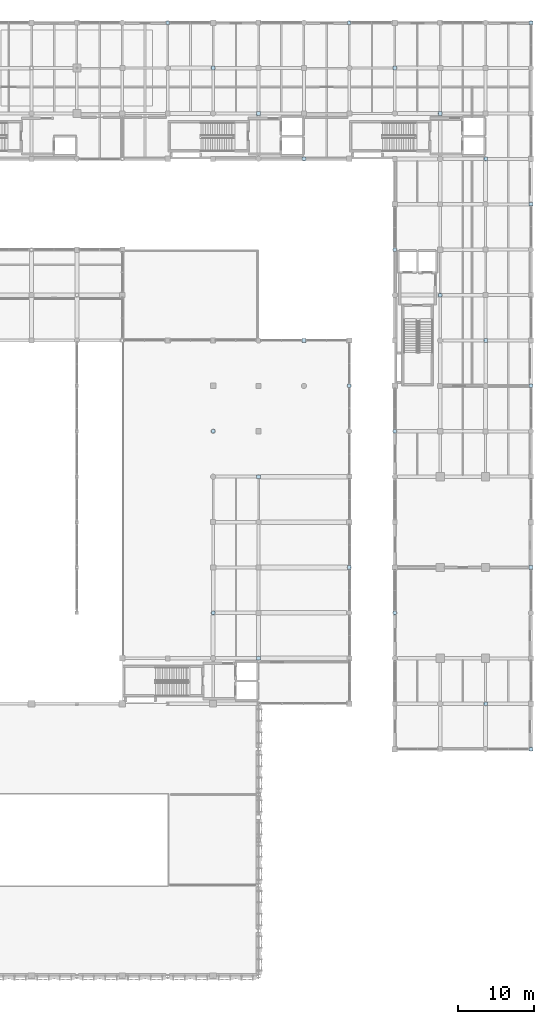
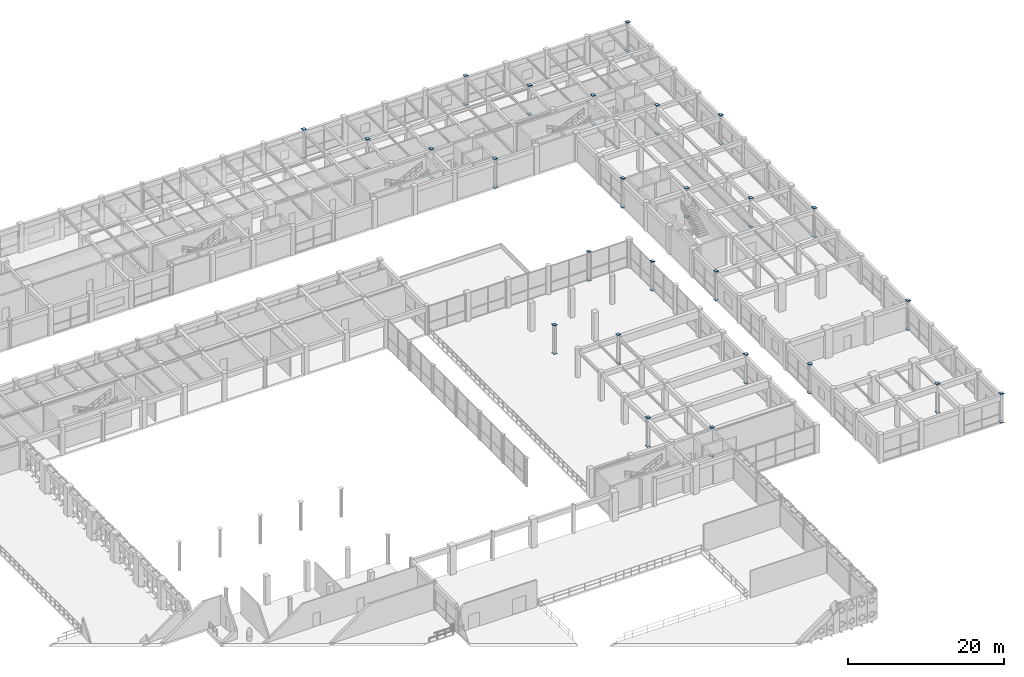
# One storey, part 86 of 116: 52 plates.
"""IFC4 building model written with IfcOpenShell, lengths in metres."""

from ifc_helpers import new_model, si_unit, direction, frame, origin, origin_2d, place, context, subcontext, project, spatial, rectangle, extrude, material, layer, layer_set, type_object, element, save


model = new_model("IFC4")

# Units and contexts
model_context = context("Model", 3, precision=1e-05, world=origin(), true_north=direction((0.0, 1.0)))
body_context = subcontext(model_context, "Body", "Model", "MODEL_VIEW")
ifc_project = project(units=[si_unit("LENGTHUNIT", "METRE"), si_unit("AREAUNIT", "SQUARE_METRE"), si_unit("VOLUMEUNIT", "CUBIC_METRE"), si_unit("PLANEANGLEUNIT", "RADIAN"), si_unit("MASSUNIT", "GRAM", prefix="KILO"), si_unit("THERMODYNAMICTEMPERATUREUNIT", "KELVIN"), si_unit("POWERUNIT", "WATT")], contexts=[model_context])

# Site, building, storey
site_placement = place(None, origin())
site = spatial("IfcSite", under=ifc_project, at=site_placement, CompositionType="ELEMENT")
building_placement = place(site_placement, origin())
building = spatial("IfcBuilding", under=site, at=building_placement, Name="Phaisarnlok Congress Hotel", CompositionType="ELEMENT")
storey_placement = place(building_placement, frame((0.0, 0.0, 10.5)))
storey = spatial("IfcBuildingStorey", under=building, at=storey_placement, Name="L02", CompositionType="ELEMENT", Elevation=10.5)

# Plates
ifc_material = material(Name="Steel S355", Category="steel")
ifc_layer = layer(ifc_material, 0.0400390625, Name="Steel S355")
ifc_layer_set = layer_set([ifc_layer], Name="Steel S355")
plate_type = type_object("IfcPlateType", Name="PLT-CAP-480", PredefinedType="SHEET", material=ifc_layer_set)
for number, where, z_axis, x_axis, name in (
    (1, (132.0, 126.0, -0.02001953125), (0.0, 0.0, 1.0), (1.0, 0.0, 0.0), "Steel column cap/base plate NP-04 at NP-COLB-COL-L02-132-126"),
    (2, (132.0, 126.0, 4.47998046875), (0.0, 0.0, 1.0), (1.0, 0.0, 0.0), "Steel column cap/base plate NP-04 at NP-COLT-COL-L02-132-126"),
    (3, (138.0, 48.0, -0.02001953125), (0.0, 0.0, 1.0), (1.0, 0.0, 0.0), "Steel column cap/base plate NP-04 at NP-COLB-COL-L02-138-048"),
    (4, (138.0, 48.0, 4.47998046875), (0.0, 0.0, 1.0), (1.0, 0.0, 0.0), "Steel column cap/base plate NP-04 at NP-COLT-COL-L02-138-048"),
    (5, (138.0, 72.0, -0.02001953125), (0.0, 0.0, 1.0), (1.0, 0.0, 0.0), "Steel column cap/base plate NP-04 at NP-COLB-COL-L02-138-072"),
    (6, (138.0, 72.0, 4.47998046875), (0.0, 0.0, 1.0), (1.0, 0.0, 0.0), "Steel column cap/base plate NP-04 at NP-COLT-COL-L02-138-072"),
    (7, (138.0, 120.0, -0.02001953125), (0.0, 0.0, 1.0), (1.0, 0.0, 0.0), "Steel column cap/base plate NP-04 at NP-COLB-COL-L02-138-120"),
    (8, (138.0, 120.0, 4.47998046875), (0.0, 0.0, 1.0), (1.0, 0.0, 0.0), "Steel column cap/base plate NP-04 at NP-COLT-COL-L02-138-120"),
    (9, (144.0, 42.0, -0.02001953125), (0.0, 0.0, 1.0), (1.0, 0.0, 0.0), "Steel column cap/base plate NP-04 at NP-COLB-COL-L02-144-042"),
    (10, (144.0, 42.0, 4.47998046875), (0.0, 0.0, 1.0), (1.0, 0.0, 0.0), "Steel column cap/base plate NP-04 at NP-COLT-COL-L02-144-042"),
    (11, (144.0, 66.0, -0.02001953125), (0.0, 0.0, 1.0), (1.0, 0.0, 0.0), "Steel column cap/base plate NP-04 at NP-COLB-COL-L02-144-066"),
    (12, (144.0, 66.0, 4.47998046875), (0.0, 0.0, 1.0), (1.0, 0.0, 0.0), "Steel column cap/base plate NP-04 at NP-COLT-COL-L02-144-066"),
    (13, (144.0, 114.0, -0.02001953125), (0.0, 0.0, 1.0), (1.0, 0.0, 0.0), "Steel column cap/base plate NP-04 at NP-COLB-COL-L02-144-114"),
    (14, (144.0, 114.0, 4.47998046875), (0.0, 0.0, 1.0), (1.0, 0.0, 0.0), "Steel column cap/base plate NP-04 at NP-COLT-COL-L02-144-114"),
    (15, (150.0, 84.0, -0.02001953125), (0.0, 0.0, 1.0), (1.0, 0.0, 0.0), "Steel column cap/base plate NP-04 at NP-COLB-COL-L02-150-084"),
    (16, (150.0, 84.0, 4.47998046875), (0.0, 0.0, 1.0), (1.0, 0.0, 0.0), "Steel column cap/base plate NP-04 at NP-COLT-COL-L02-150-084"),
    (17, (150.0, 108.0, -0.02001953125), (0.0, 0.0, 1.0), (1.0, 0.0, 0.0), "Steel column cap/base plate NP-04 at NP-COLB-COL-L02-150-108"),
    (18, (150.0, 108.0, 4.47998046875), (0.0, 0.0, 1.0), (1.0, 0.0, 0.0), "Steel column cap/base plate NP-04 at NP-COLT-COL-L02-150-108"),
    (19, (156.0, 54.0, -0.02001953125), (0.0, 0.0, 1.0), (1.0, 0.0, 0.0), "Steel column cap/base plate NP-04 at NP-COLB-COL-L02-156-054"),
    (20, (156.0, 54.0, 4.47998046875), (0.0, 0.0, 1.0), (1.0, 0.0, 0.0), "Steel column cap/base plate NP-04 at NP-COLT-COL-L02-156-054"),
    (21, (156.0, 78.0, -0.02001953125), (0.0, 0.0, 1.0), (1.0, 0.0, 0.0), "Steel column cap/base plate NP-04 at NP-COLB-COL-L02-156-078"),
    (22, (156.0, 78.0, 4.47998046875), (0.0, 0.0, 1.0), (1.0, 0.0, 0.0), "Steel column cap/base plate NP-04 at NP-COLT-COL-L02-156-078"),
    (23, (156.0, 126.0, -0.02001953125), (0.0, 0.0, 1.0), (1.0, 0.0, 0.0), "Steel column cap/base plate NP-04 at NP-COLB-COL-L02-156-126"),
    (24, (156.0, 126.0, 4.47998046875), (0.0, 0.0, 1.0), (1.0, 0.0, 0.0), "Steel column cap/base plate NP-04 at NP-COLT-COL-L02-156-126"),
    (25, (162.0, 48.0, -0.02001953125), (0.0, 0.0, 1.0), (1.0, 0.0, 0.0), "Steel column cap/base plate NP-04 at NP-COLB-COL-L02-162-048"),
    (26, (162.0, 48.0, 4.47998046875), (0.0, 0.0, 1.0), (1.0, 0.0, 0.0), "Steel column cap/base plate NP-04 at NP-COLT-COL-L02-162-048"),
    (27, (162.0, 72.0, -0.02001953125), (0.0, 0.0, 1.0), (1.0, 0.0, 0.0), "Steel column cap/base plate NP-04 at NP-COLB-COL-L02-162-072"),
    (28, (162.0, 72.0, 4.47998046875), (0.0, 0.0, 1.0), (1.0, 0.0, 0.0), "Steel column cap/base plate NP-04 at NP-COLT-COL-L02-162-072"),
    (29, (162.0, 96.0, -0.02001953125), (0.0, 0.0, 1.0), (1.0, 0.0, 0.0), "Steel column cap/base plate NP-04 at NP-COLB-COL-L02-162-096"),
    (30, (162.0, 96.0, 4.47998046875), (0.0, 0.0, 1.0), (1.0, 0.0, 0.0), "Steel column cap/base plate NP-04 at NP-COLT-COL-L02-162-096"),
    (31, (162.0, 120.0, -0.02001953125), (0.0, 0.0, 1.0), (1.0, 0.0, 0.0), "Steel column cap/base plate NP-04 at NP-COLB-COL-L02-162-120"),
    (32, (162.0, 120.0, 4.47998046875), (0.0, 0.0, 1.0), (1.0, 0.0, 0.0), "Steel column cap/base plate NP-04 at NP-COLT-COL-L02-162-120"),
    (33, (168.0, 90.0, -0.02001953125), (0.0, 0.0, 1.0), (1.0, 0.0, 0.0), "Steel column cap/base plate NP-04 at NP-COLB-COL-L02-168-090"),
    (34, (168.0, 90.0, 4.47998046875), (0.0, 0.0, 1.0), (1.0, 0.0, 0.0), "Steel column cap/base plate NP-04 at NP-COLT-COL-L02-168-090"),
    (35, (168.0, 114.0, -0.02001953125), (0.0, 0.0, 1.0), (1.0, 0.0, 0.0), "Steel column cap/base plate NP-04 at NP-COLB-COL-L02-168-114"),
    (36, (168.0, 114.0, 4.47998046875), (0.0, 0.0, 1.0), (1.0, 0.0, 0.0), "Steel column cap/base plate NP-04 at NP-COLT-COL-L02-168-114"),
    (37, (174.0, 36.0, -0.02001953125), (0.0, 0.0, 1.0), (1.0, 0.0, 0.0), "Steel column cap/base plate NP-04 at NP-COLB-COL-L02-174-036"),
    (38, (174.0, 36.0, 4.47998046875), (0.0, 0.0, 1.0), (1.0, 0.0, 0.0), "Steel column cap/base plate NP-04 at NP-COLT-COL-L02-174-036"),
    (39, (174.0, 84.0, -0.02001953125), (0.0, 0.0, 1.0), (1.0, 0.0, 0.0), "Steel column cap/base plate NP-04 at NP-COLB-COL-L02-174-084"),
    (40, (174.0, 84.0, 4.47998046875), (0.0, 0.0, 1.0), (1.0, 0.0, 0.0), "Steel column cap/base plate NP-04 at NP-COLT-COL-L02-174-084"),
    (41, (174.0, 108.0, -0.02001953125), (0.0, 0.0, 1.0), (1.0, 0.0, 0.0), "Steel column cap/base plate NP-04 at NP-COLB-COL-L02-174-108"),
    (42, (174.0, 108.0, 4.47998046875), (0.0, 0.0, 1.0), (1.0, 0.0, 0.0), "Steel column cap/base plate NP-04 at NP-COLT-COL-L02-174-108"),
    (43, (180.0, 30.0, -0.02001953125), (0.0, 0.0, 1.0), (1.0, 0.0, 0.0), "Steel column cap/base plate NP-04 at NP-COLB-COL-L02-180-030"),
    (44, (180.0, 30.0, 4.47998046875), (0.0, 0.0, 1.0), (1.0, 0.0, 0.0), "Steel column cap/base plate NP-04 at NP-COLT-COL-L02-180-030"),
    (45, (180.0, 54.0, -0.02001953125), (0.0, 0.0, 1.0), (1.0, 0.0, 0.0), "Steel column cap/base plate NP-04 at NP-COLB-COL-L02-180-054"),
    (46, (180.0, 54.0, 4.47998046875), (0.0, 0.0, 1.0), (1.0, 0.0, 0.0), "Steel column cap/base plate NP-04 at NP-COLT-COL-L02-180-054"),
    (47, (180.0, 78.0, -0.02001953125), (0.0, 0.0, 1.0), (1.0, 0.0, 0.0), "Steel column cap/base plate NP-04 at NP-COLB-COL-L02-180-078"),
    (48, (180.0, 78.0, 4.47998046875), (0.0, 0.0, 1.0), (1.0, 0.0, 0.0), "Steel column cap/base plate NP-04 at NP-COLT-COL-L02-180-078"),
    (49, (180.0, 102.0, -0.02001953125), (0.0, 0.0, 1.0), (1.0, 0.0, 0.0), "Steel column cap/base plate NP-04 at NP-COLB-COL-L02-180-102"),
    (50, (180.0, 102.0, 4.47998046875), (0.0, 0.0, 1.0), (1.0, 0.0, 0.0), "Steel column cap/base plate NP-04 at NP-COLT-COL-L02-180-102"),
    (51, (180.0, 126.0, -0.02001953125), (0.0, 0.0, 1.0), (1.0, 0.0, 0.0), "Steel column cap/base plate NP-04 at NP-COLB-COL-L02-180-126"),
    (52, (180.0, 126.0, 4.47998046875), (0.0, 0.0, 1.0), (1.0, 0.0, 0.0), "Steel column cap/base plate NP-04 at NP-COLT-COL-L02-180-126"),
):
    element("IfcPlate", number, at=place(storey_placement, frame(where, z_axis=z_axis, x_axis=x_axis)), inside=storey, type_object=plate_type, Name=name, PredefinedType="SHEET", context=body_context, shape_type="SweptSolid", body=[
        extrude(rectangle(XDim=0.47998046875, YDim=0.47998046875, at=origin_2d()), origin(), (0.0, 0.0, 1.0), 0.0400390625),
    ])

save(model, "model.ifc")
